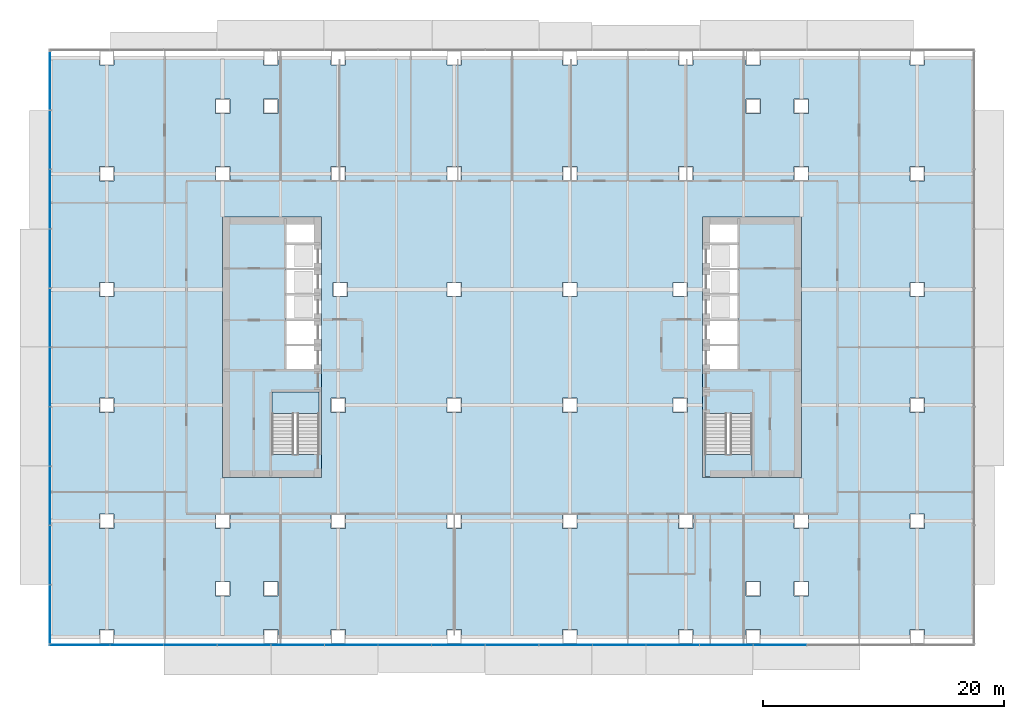
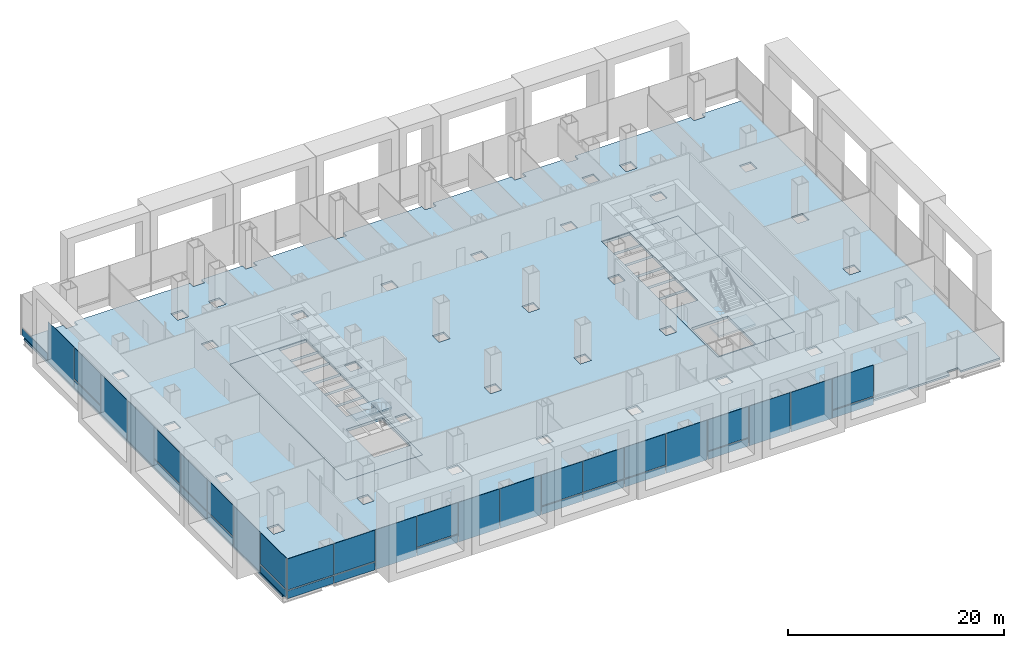
# One storey, part 12 of 23: 37 plates, 5 slabs, 4 elements without a shape of their own.
"""IFC4 building model written with IfcOpenShell, lengths in metres."""

from ifc_helpers import new_model, si_unit, direction, frame, origin, origin_2d, place, context, subcontext, project, spatial, polyline, rectangle, outline, extrude, material, layer, layer_set, type_object, element, aggregate, save


model = new_model("IFC4")

# Units and contexts
model_context = context("Model", 3, precision=1e-05, world=origin(), true_north=direction((0.0, 1.0)))
body_context = subcontext(model_context, "Body", "Model", "MODEL_VIEW")
ifc_project = project(units=[si_unit("LENGTHUNIT", "METRE"), si_unit("AREAUNIT", "SQUARE_METRE"), si_unit("VOLUMEUNIT", "CUBIC_METRE"), si_unit("PLANEANGLEUNIT", "RADIAN"), si_unit("MASSUNIT", "GRAM", prefix="KILO")], contexts=[model_context])

# Site, building, storey
site_placement = place(None, origin())
site = spatial("IfcSite", under=ifc_project, at=site_placement, CompositionType="ELEMENT")
building_placement = place(site_placement, origin())
building = spatial("IfcBuilding", under=site, at=building_placement, Name="Cobrizo Arcos Hotel Tower", CompositionType="ELEMENT")
storey_placement = place(building_placement, frame((0.0, 0.0, 15.5)))
storey = spatial("IfcBuildingStorey", under=building, at=storey_placement, Name="L02", CompositionType="ELEMENT", Elevation=15.5)

# Curtain wall, plates
ifc_material_1 = material(Name="Aluminium 6063-T6 anodised bronze", Category="aluminium")
curtain_wall_type_1 = type_object("IfcCurtainWallType", Name="CW-A guest facade", PredefinedType="NOTDEFINED", material=ifc_material_1)
curtain_wall_1_placement = place(storey_placement, origin())
curtain_wall_1 = element("IfcCurtainWall", 1, at=curtain_wall_1_placement, inside=storey, type_object=curtain_wall_type_1, Name="CW-A L02 S face", PredefinedType="NOTDEFINED")
ifc_material_2 = material(Name="Glass clear laminated low-e", Category="glass")
ifc_layer_1 = layer(ifc_material_2, 0.0400390625)
ifc_layer_set_1 = layer_set([ifc_layer_1], Name="CW-A glass panel")
plate_type_1 = type_object("IfcPlateType", Name="CW-A glass panel", PredefinedType="CURTAIN_PANEL", material=ifc_layer_set_1)
plate_1_placement = place(storey_placement, frame((-35.839111328125, -24.675048828125, 0.990234375), z_axis=(0.0, 0.0, 1.0), x_axis=(1.0, 0.0, 0.0)))
plate_1 = element("IfcPlate", 2, at=plate_1_placement, type_object=plate_type_1, Name="CW-A glass panel 144", PredefinedType="CURTAIN_PANEL", context=body_context, shape_type="SweptSolid", body=[
    extrude(rectangle(XDim=4.95166015625, YDim=0.0400390625, at=origin_2d()), origin(), (0.0, 0.0, 1.0), 3.510009765625),
])
plate_2_placement = place(storey_placement, frame((-31.111083984375, -24.675048828125, 0.990234375), z_axis=(0.0, 0.0, 1.0), x_axis=(1.0, 0.0, 0.0)))
plate_2 = element("IfcPlate", 3, at=plate_2_placement, type_object=plate_type_1, Name="CW-A glass panel 145", PredefinedType="CURTAIN_PANEL", context=body_context, shape_type="SweptSolid", body=[
    extrude(rectangle(XDim=4.384521484375, YDim=0.0400390625, at=origin_2d()), origin(), (0.0, 0.0, 1.0), 3.510009765625),
])
plate_3_placement = place(storey_placement, frame((-22.22216796875, -24.675048828125, 0.990234375), z_axis=(0.0, 0.0, 1.0), x_axis=(1.0, 0.0, 0.0)))
plate_3 = element("IfcPlate", 4, at=plate_3_placement, type_object=plate_type_1, Name="CW-A glass panel 147", PredefinedType="CURTAIN_PANEL", context=body_context, shape_type="SweptSolid", body=[
    extrude(rectangle(XDim=4.384521484375, YDim=0.0400390625, at=origin_2d()), origin(), (0.0, 0.0, 1.0), 3.510009765625),
])
plate_4_placement = place(storey_placement, frame((-8.888916015625, -24.675048828125, 0.990234375), z_axis=(0.0, 0.0, 1.0), x_axis=(1.0, 0.0, 0.0)))
plate_4 = element("IfcPlate", 5, at=plate_4_placement, type_object=plate_type_1, Name="CW-A glass panel 150", PredefinedType="CURTAIN_PANEL", context=body_context, shape_type="SweptSolid", body=[
    extrude(rectangle(XDim=4.384521484375, YDim=0.0400390625, at=origin_2d()), origin(), (0.0, 0.0, 1.0), 3.510009765625),
])
plate_5_placement = place(storey_placement, frame((-4.4443359375, -24.675048828125, 0.990234375), z_axis=(0.0, 0.0, 1.0), x_axis=(1.0, 0.0, 0.0)))
plate_5 = element("IfcPlate", 6, at=plate_5_placement, type_object=plate_type_1, Name="CW-A glass panel 151", PredefinedType="CURTAIN_PANEL", context=body_context, shape_type="SweptSolid", body=[
    extrude(rectangle(XDim=4.384521484375, YDim=0.0400390625, at=origin_2d()), origin(), (0.0, 0.0, 1.0), 3.510009765625),
])
plate_6_placement = place(storey_placement, frame((0.0, -24.675048828125, 0.990234375), z_axis=(0.0, 0.0, 1.0), x_axis=(1.0, 0.0, 0.0)))
plate_6 = element("IfcPlate", 7, at=plate_6_placement, type_object=plate_type_1, Name="CW-A glass panel 152", PredefinedType="CURTAIN_PANEL", context=body_context, shape_type="SweptSolid", body=[
    extrude(rectangle(XDim=4.384521484375, YDim=0.0400390625, at=origin_2d()), origin(), (0.0, 0.0, 1.0), 3.510009765625),
])
plate_7_placement = place(storey_placement, frame((8.888916015625, -24.675048828125, 0.990234375), z_axis=(0.0, 0.0, 1.0), x_axis=(1.0, 0.0, 0.0)))
plate_7 = element("IfcPlate", 8, at=plate_7_placement, type_object=plate_type_1, Name="CW-A glass panel 154", PredefinedType="CURTAIN_PANEL", context=body_context, shape_type="SweptSolid", body=[
    extrude(rectangle(XDim=4.384521484375, YDim=0.0400390625, at=origin_2d()), origin(), (0.0, 0.0, 1.0), 3.510009765625),
])
plate_8_placement = place(storey_placement, frame((22.22216796875, -24.675048828125, 0.990234375), z_axis=(0.0, 0.0, 1.0), x_axis=(1.0, 0.0, 0.0)))
plate_8 = element("IfcPlate", 9, at=plate_8_placement, type_object=plate_type_1, Name="CW-A glass panel 157", PredefinedType="CURTAIN_PANEL", context=body_context, shape_type="SweptSolid", body=[
    extrude(rectangle(XDim=4.384521484375, YDim=0.0400390625, at=origin_2d()), origin(), (0.0, 0.0, 1.0), 3.510009765625),
])
ifc_material_3 = material(Name="Aluminium composite panel pale metal", Category="aluminium")
ifc_layer_2 = layer(ifc_material_3, 0.0400390625)
ifc_layer_set_2 = layer_set([ifc_layer_2], Name="CW-A spandrel panel")
plate_type_2 = type_object("IfcPlateType", Name="CW-A spandrel panel", PredefinedType="CURTAIN_PANEL", material=ifc_layer_set_2)
plate_9_placement = place(storey_placement, frame((-35.839111328125, -24.675048828125, 0.0), z_axis=(0.0, 0.0, 1.0), x_axis=(1.0, 0.0, 0.0)))
plate_9 = element("IfcPlate", 10, at=plate_9_placement, type_object=plate_type_2, Name="CW-A spandrel panel 144", PredefinedType="CURTAIN_PANEL", context=body_context, shape_type="SweptSolid", body=[
    extrude(rectangle(XDim=4.95166015625, YDim=0.0400390625, at=origin_2d()), origin(), (0.0, 0.0, 1.0), 0.8701171875),
])
plate_10_placement = place(storey_placement, frame((-31.111083984375, -24.675048828125, 0.0), z_axis=(0.0, 0.0, 1.0), x_axis=(1.0, 0.0, 0.0)))
plate_10 = element("IfcPlate", 11, at=plate_10_placement, type_object=plate_type_2, Name="CW-A spandrel panel 145", PredefinedType="CURTAIN_PANEL", context=body_context, shape_type="SweptSolid", body=[
    extrude(rectangle(XDim=4.384521484375, YDim=0.0400390625, at=origin_2d()), origin(), (0.0, 0.0, 1.0), 0.8701171875),
])
plate_11_placement = place(storey_placement, frame((-26.666748046875, -24.675048828125, 0.0), z_axis=(0.0, 0.0, 1.0), x_axis=(1.0, 0.0, 0.0)))
plate_11 = element("IfcPlate", 12, at=plate_11_placement, type_object=plate_type_2, Name="CW-A spandrel panel 146", PredefinedType="CURTAIN_PANEL", context=body_context, shape_type="SweptSolid", body=[
    extrude(rectangle(XDim=4.384521484375, YDim=0.0400390625, at=origin_2d()), origin(), (0.0, 0.0, 1.0), 4.5),
])
plate_12_placement = place(storey_placement, frame((-22.22216796875, -24.675048828125, 0.0), z_axis=(0.0, 0.0, 1.0), x_axis=(1.0, 0.0, 0.0)))
plate_12 = element("IfcPlate", 13, at=plate_12_placement, type_object=plate_type_2, Name="CW-A spandrel panel 147", PredefinedType="CURTAIN_PANEL", context=body_context, shape_type="SweptSolid", body=[
    extrude(rectangle(XDim=4.384521484375, YDim=0.0400390625, at=origin_2d()), origin(), (0.0, 0.0, 1.0), 0.8701171875),
])
plate_13_placement = place(storey_placement, frame((-17.77783203125, -24.675048828125, 0.0), z_axis=(0.0, 0.0, 1.0), x_axis=(1.0, 0.0, 0.0)))
plate_13 = element("IfcPlate", 14, at=plate_13_placement, type_object=plate_type_2, Name="CW-A spandrel panel 148", PredefinedType="CURTAIN_PANEL", context=body_context, shape_type="SweptSolid", body=[
    extrude(rectangle(XDim=4.384521484375, YDim=0.0400390625, at=origin_2d()), origin(), (0.0, 0.0, 1.0), 4.5),
])
plate_14_placement = place(storey_placement, frame((-13.333251953125, -24.675048828125, 0.0), z_axis=(0.0, 0.0, 1.0), x_axis=(1.0, 0.0, 0.0)))
plate_14 = element("IfcPlate", 15, at=plate_14_placement, type_object=plate_type_2, Name="CW-A spandrel panel 149", PredefinedType="CURTAIN_PANEL", context=body_context, shape_type="SweptSolid", body=[
    extrude(rectangle(XDim=4.384521484375, YDim=0.0400390625, at=origin_2d()), origin(), (0.0, 0.0, 1.0), 4.5),
])
plate_15_placement = place(storey_placement, frame((-8.888916015625, -24.675048828125, 0.0), z_axis=(0.0, 0.0, 1.0), x_axis=(1.0, 0.0, 0.0)))
plate_15 = element("IfcPlate", 16, at=plate_15_placement, type_object=plate_type_2, Name="CW-A spandrel panel 150", PredefinedType="CURTAIN_PANEL", context=body_context, shape_type="SweptSolid", body=[
    extrude(rectangle(XDim=4.384521484375, YDim=0.0400390625, at=origin_2d()), origin(), (0.0, 0.0, 1.0), 0.8701171875),
])
plate_16_placement = place(storey_placement, frame((-4.4443359375, -24.675048828125, 0.0), z_axis=(0.0, 0.0, 1.0), x_axis=(1.0, 0.0, 0.0)))
plate_16 = element("IfcPlate", 17, at=plate_16_placement, type_object=plate_type_2, Name="CW-A spandrel panel 151", PredefinedType="CURTAIN_PANEL", context=body_context, shape_type="SweptSolid", body=[
    extrude(rectangle(XDim=4.384521484375, YDim=0.0400390625, at=origin_2d()), origin(), (0.0, 0.0, 1.0), 0.8701171875),
])
plate_17_placement = place(storey_placement, frame((0.0, -24.675048828125, 0.0), z_axis=(0.0, 0.0, 1.0), x_axis=(1.0, 0.0, 0.0)))
plate_17 = element("IfcPlate", 18, at=plate_17_placement, type_object=plate_type_2, Name="CW-A spandrel panel 152", PredefinedType="CURTAIN_PANEL", context=body_context, shape_type="SweptSolid", body=[
    extrude(rectangle(XDim=4.384521484375, YDim=0.0400390625, at=origin_2d()), origin(), (0.0, 0.0, 1.0), 0.8701171875),
])
plate_18_placement = place(storey_placement, frame((4.4443359375, -24.675048828125, 0.0), z_axis=(0.0, 0.0, 1.0), x_axis=(1.0, 0.0, 0.0)))
plate_18 = element("IfcPlate", 19, at=plate_18_placement, type_object=plate_type_2, Name="CW-A spandrel panel 153", PredefinedType="CURTAIN_PANEL", context=body_context, shape_type="SweptSolid", body=[
    extrude(rectangle(XDim=4.384521484375, YDim=0.0400390625, at=origin_2d()), origin(), (0.0, 0.0, 1.0), 4.5),
])
plate_19_placement = place(storey_placement, frame((8.888916015625, -24.675048828125, 0.0), z_axis=(0.0, 0.0, 1.0), x_axis=(1.0, 0.0, 0.0)))
plate_19 = element("IfcPlate", 20, at=plate_19_placement, type_object=plate_type_2, Name="CW-A spandrel panel 154", PredefinedType="CURTAIN_PANEL", context=body_context, shape_type="SweptSolid", body=[
    extrude(rectangle(XDim=4.384521484375, YDim=0.0400390625, at=origin_2d()), origin(), (0.0, 0.0, 1.0), 0.8701171875),
])
plate_20_placement = place(storey_placement, frame((13.333251953125, -24.675048828125, 0.0), z_axis=(0.0, 0.0, 1.0), x_axis=(1.0, 0.0, 0.0)))
plate_20 = element("IfcPlate", 21, at=plate_20_placement, type_object=plate_type_2, Name="CW-A spandrel panel 155", PredefinedType="CURTAIN_PANEL", context=body_context, shape_type="SweptSolid", body=[
    extrude(rectangle(XDim=4.384521484375, YDim=0.0400390625, at=origin_2d()), origin(), (0.0, 0.0, 1.0), 4.5),
])
plate_21_placement = place(storey_placement, frame((17.77783203125, -24.675048828125, 0.0), z_axis=(0.0, 0.0, 1.0), x_axis=(1.0, 0.0, 0.0)))
plate_21 = element("IfcPlate", 22, at=plate_21_placement, type_object=plate_type_2, Name="CW-A spandrel panel 156", PredefinedType="CURTAIN_PANEL", context=body_context, shape_type="SweptSolid", body=[
    extrude(rectangle(XDim=4.384521484375, YDim=0.0400390625, at=origin_2d()), origin(), (0.0, 0.0, 1.0), 4.5),
])
plate_22_placement = place(storey_placement, frame((22.22216796875, -24.675048828125, 0.0), z_axis=(0.0, 0.0, 1.0), x_axis=(1.0, 0.0, 0.0)))
plate_22 = element("IfcPlate", 23, at=plate_22_placement, type_object=plate_type_2, Name="CW-A spandrel panel 157", PredefinedType="CURTAIN_PANEL", context=body_context, shape_type="SweptSolid", body=[
    extrude(rectangle(XDim=4.384521484375, YDim=0.0400390625, at=origin_2d()), origin(), (0.0, 0.0, 1.0), 0.8701171875),
])
aggregate(curtain_wall_1, [plate_9, plate_1, plate_10, plate_2, plate_11, plate_12, plate_3, plate_13, plate_14, plate_15, plate_4, plate_16, plate_5, plate_17, plate_6, plate_18, plate_19, plate_7, plate_20, plate_21, plate_22, plate_8])

curtain_wall_type_2 = type_object("IfcCurtainWallType", Name="CW-B podium glazing", PredefinedType="NOTDEFINED", material=ifc_material_1)
curtain_wall_2_placement = place(storey_placement, origin())
curtain_wall_2 = element("IfcCurtainWall", 24, at=curtain_wall_2_placement, inside=storey, type_object=curtain_wall_type_2, Name="CW-B L02 W face", PredefinedType="NOTDEFINED")
ifc_layer_3 = layer(ifc_material_2, 0.0400390625)
ifc_layer_set_3 = layer_set([ifc_layer_3], Name="CW-B glass panel")
plate_type_3 = type_object("IfcPlateType", Name="CW-B glass panel", PredefinedType="CURTAIN_PANEL", material=ifc_layer_set_3)
plate_23_placement = place(storey_placement, frame((-38.300048828125, 12.300048828125, 0.97998046875), z_axis=(0.0, 0.0, 1.0), x_axis=(0.0, -1.0, 0.0)))
plate_23 = element("IfcPlate", 25, at=plate_23_placement, type_object=plate_type_3, Name="CW-B glass panel 136", PredefinedType="CURTAIN_PANEL", context=body_context, shape_type="SweptSolid", body=[
    extrude(rectangle(XDim=4.840087890625, YDim=0.0400390625, at=origin_2d()), origin(), (0.0, 0.0, 1.0), 3.52001953125),
])
plate_24_placement = place(storey_placement, frame((-38.300048828125, -2.4599609375, 0.97998046875), z_axis=(0.0, 0.0, 1.0), x_axis=(0.0, -1.0, 0.0)))
plate_24 = element("IfcPlate", 26, at=plate_24_placement, type_object=plate_type_3, Name="CW-B glass panel 139", PredefinedType="CURTAIN_PANEL", context=body_context, shape_type="SweptSolid", body=[
    extrude(rectangle(XDim=4.840087890625, YDim=0.0400390625, at=origin_2d()), origin(), (0.0, 0.0, 1.0), 3.52001953125),
])
plate_25_placement = place(storey_placement, frame((-38.300048828125, -7.3798828125, 0.97998046875), z_axis=(0.0, 0.0, 1.0), x_axis=(0.0, -1.0, 0.0)))
plate_25 = element("IfcPlate", 27, at=plate_25_placement, type_object=plate_type_3, Name="CW-B glass panel 140", PredefinedType="CURTAIN_PANEL", context=body_context, shape_type="SweptSolid", body=[
    extrude(rectangle(XDim=4.840087890625, YDim=0.0400390625, at=origin_2d()), origin(), (0.0, 0.0, 1.0), 3.52001953125),
])
plate_26_placement = place(storey_placement, frame((-38.300048828125, -12.300048828125, 0.97998046875), z_axis=(0.0, 0.0, 1.0), x_axis=(0.0, -1.0, 0.0)))
plate_26 = element("IfcPlate", 28, at=plate_26_placement, type_object=plate_type_3, Name="CW-B glass panel 141", PredefinedType="CURTAIN_PANEL", context=body_context, shape_type="SweptSolid", body=[
    extrude(rectangle(XDim=4.840087890625, YDim=0.0400390625, at=origin_2d()), origin(), (0.0, 0.0, 1.0), 3.52001953125),
])
plate_27_placement = place(storey_placement, frame((-38.300048828125, -22.1201171875, 0.97998046875), z_axis=(0.0, 0.0, 1.0), x_axis=(0.0, -1.0, 0.0)))
plate_27 = element("IfcPlate", 29, at=plate_27_placement, type_object=plate_type_3, Name="CW-B glass panel 143", PredefinedType="CURTAIN_PANEL", context=body_context, shape_type="SweptSolid", body=[
    extrude(rectangle(XDim=4.800048828125, YDim=0.0400390625, at=origin_2d()), origin(), (0.0, 0.0, 1.0), 3.52001953125),
])
ifc_layer_4 = layer(ifc_material_3, 0.06005859375)
ifc_layer_set_4 = layer_set([ifc_layer_4], Name="CW-B spandrel panel")
plate_type_4 = type_object("IfcPlateType", Name="CW-B spandrel panel", PredefinedType="CURTAIN_PANEL", material=ifc_layer_set_4)
plate_28_placement = place(storey_placement, frame((-38.300048828125, 22.1201171875, 0.0), z_axis=(0.0, 0.0, 1.0), x_axis=(0.0, -1.0, 0.0)))
plate_28 = element("IfcPlate", 30, at=plate_28_placement, type_object=plate_type_4, Name="CW-B spandrel panel 134", PredefinedType="CURTAIN_PANEL", context=body_context, shape_type="SweptSolid", body=[
    extrude(rectangle(XDim=4.800048828125, YDim=0.0400390625, at=origin_2d()), origin(), (0.0, 0.0, 1.0), 0.820068359375),
])
plate_29_placement = place(storey_placement, frame((-38.300048828125, 17.219970703125, 0.0), z_axis=(0.0, 0.0, 1.0), x_axis=(0.0, -1.0, 0.0)))
plate_29 = element("IfcPlate", 31, at=plate_29_placement, type_object=plate_type_4, Name="CW-B spandrel panel 135", PredefinedType="CURTAIN_PANEL", context=body_context, shape_type="SweptSolid", body=[
    extrude(rectangle(XDim=4.840087890625, YDim=0.0400390625, at=origin_2d()), origin(), (0.0, 0.0, 1.0), 4.5),
])
plate_30_placement = place(storey_placement, frame((-38.300048828125, 12.300048828125, 0.0), z_axis=(0.0, 0.0, 1.0), x_axis=(0.0, -1.0, 0.0)))
plate_30 = element("IfcPlate", 32, at=plate_30_placement, type_object=plate_type_4, Name="CW-B spandrel panel 136", PredefinedType="CURTAIN_PANEL", context=body_context, shape_type="SweptSolid", body=[
    extrude(rectangle(XDim=4.840087890625, YDim=0.0400390625, at=origin_2d()), origin(), (0.0, 0.0, 1.0), 0.820068359375),
])
plate_31_placement = place(storey_placement, frame((-38.300048828125, 7.3798828125, 0.0), z_axis=(0.0, 0.0, 1.0), x_axis=(0.0, -1.0, 0.0)))
plate_31 = element("IfcPlate", 33, at=plate_31_placement, type_object=plate_type_4, Name="CW-B spandrel panel 137", PredefinedType="CURTAIN_PANEL", context=body_context, shape_type="SweptSolid", body=[
    extrude(rectangle(XDim=4.840087890625, YDim=0.0400390625, at=origin_2d()), origin(), (0.0, 0.0, 1.0), 4.5),
])
plate_32_placement = place(storey_placement, frame((-38.300048828125, 2.4599609375, 0.0), z_axis=(0.0, 0.0, 1.0), x_axis=(0.0, -1.0, 0.0)))
plate_32 = element("IfcPlate", 34, at=plate_32_placement, type_object=plate_type_4, Name="CW-B spandrel panel 138", PredefinedType="CURTAIN_PANEL", context=body_context, shape_type="SweptSolid", body=[
    extrude(rectangle(XDim=4.840087890625, YDim=0.0400390625, at=origin_2d()), origin(), (0.0, 0.0, 1.0), 4.5),
])
plate_33_placement = place(storey_placement, frame((-38.300048828125, -2.4599609375, 0.0), z_axis=(0.0, 0.0, 1.0), x_axis=(0.0, -1.0, 0.0)))
plate_33 = element("IfcPlate", 35, at=plate_33_placement, type_object=plate_type_4, Name="CW-B spandrel panel 139", PredefinedType="CURTAIN_PANEL", context=body_context, shape_type="SweptSolid", body=[
    extrude(rectangle(XDim=4.840087890625, YDim=0.0400390625, at=origin_2d()), origin(), (0.0, 0.0, 1.0), 0.820068359375),
])
plate_34_placement = place(storey_placement, frame((-38.300048828125, -7.3798828125, 0.0), z_axis=(0.0, 0.0, 1.0), x_axis=(0.0, -1.0, 0.0)))
plate_34 = element("IfcPlate", 36, at=plate_34_placement, type_object=plate_type_4, Name="CW-B spandrel panel 140", PredefinedType="CURTAIN_PANEL", context=body_context, shape_type="SweptSolid", body=[
    extrude(rectangle(XDim=4.840087890625, YDim=0.0400390625, at=origin_2d()), origin(), (0.0, 0.0, 1.0), 0.820068359375),
])
plate_35_placement = place(storey_placement, frame((-38.300048828125, -12.300048828125, 0.0), z_axis=(0.0, 0.0, 1.0), x_axis=(0.0, -1.0, 0.0)))
plate_35 = element("IfcPlate", 37, at=plate_35_placement, type_object=plate_type_4, Name="CW-B spandrel panel 141", PredefinedType="CURTAIN_PANEL", context=body_context, shape_type="SweptSolid", body=[
    extrude(rectangle(XDim=4.840087890625, YDim=0.0400390625, at=origin_2d()), origin(), (0.0, 0.0, 1.0), 0.820068359375),
])
plate_36_placement = place(storey_placement, frame((-38.300048828125, -17.219970703125, 0.0), z_axis=(0.0, 0.0, 1.0), x_axis=(0.0, -1.0, 0.0)))
plate_36 = element("IfcPlate", 38, at=plate_36_placement, type_object=plate_type_4, Name="CW-B spandrel panel 142", PredefinedType="CURTAIN_PANEL", context=body_context, shape_type="SweptSolid", body=[
    extrude(rectangle(XDim=4.840087890625, YDim=0.0400390625, at=origin_2d()), origin(), (0.0, 0.0, 1.0), 4.5),
])
plate_37_placement = place(storey_placement, frame((-38.300048828125, -22.1201171875, 0.0), z_axis=(0.0, 0.0, 1.0), x_axis=(0.0, -1.0, 0.0)))
plate_37 = element("IfcPlate", 39, at=plate_37_placement, type_object=plate_type_4, Name="CW-B spandrel panel 143", PredefinedType="CURTAIN_PANEL", context=body_context, shape_type="SweptSolid", body=[
    extrude(rectangle(XDim=4.800048828125, YDim=0.0400390625, at=origin_2d()), origin(), (0.0, 0.0, 1.0), 0.820068359375),
])
aggregate(curtain_wall_2, [plate_28, plate_29, plate_30, plate_23, plate_31, plate_32, plate_33, plate_24, plate_34, plate_25, plate_35, plate_26, plate_36, plate_37, plate_27])

# Slabs
ifc_material_4 = material(Name="Concrete f'c 35 MPa", Category="concrete")
ifc_layer_5 = layer(ifc_material_4, 0.199951171875)
ifc_layer_set_5 = layer_set([ifc_layer_5], Name="Composite floor slab 200 f'c 35")
slab_type_1 = type_object("IfcSlabType", Name="Composite floor slab 200 f'c 35", PredefinedType="FLOOR", material=ifc_layer_set_5)
slab_1_placement = place(storey_placement, frame((0.0, 0.0, -0.199951171875)))
element("IfcSlab", 40, at=slab_1_placement, inside=storey, type_object=slab_type_1, Name="Floor slab S4, L02, no. 01", PredefinedType="FLOOR", context=body_context, shape_type="SweptSolid", body=[
    extrude(outline(polyline([(38.39990234375, 24.0), (38.39990234375, -24.0), (34.199951171875, -24.0), (34.199951171875, -23.39990234375), (33.0, -23.39990234375), (33.0, -24.0), (20.60009765625, -24.0), (20.60009765625, -23.39990234375), (19.39990234375, -23.39990234375), (19.39990234375, -24.0), (15.0, -24.0), (15.0, -23.39990234375), (13.800048828125, -23.39990234375), (13.800048828125, -24.0), (5.39990234375, -24.0), (5.39990234375, -23.39990234375), (4.199951171875, -23.39990234375), (4.199951171875, -24.0), (-4.199951171875, -24.0), (-4.199951171875, -23.39990234375), (-5.39990234375, -23.39990234375), (-5.39990234375, -24.0), (-13.800048828125, -24.0), (-13.800048828125, -23.39990234375), (-15.0, -23.39990234375), (-15.0, -24.0), (-19.39990234375, -24.0), (-19.39990234375, -23.39990234375), (-20.60009765625, -23.39990234375), (-20.60009765625, -24.0), (-33.0, -24.0), (-33.0, -23.39990234375), (-34.199951171875, -23.39990234375), (-34.199951171875, -24.0), (-38.39990234375, -24.0), (-38.39990234375, 24.0), (-34.199951171875, 24.0), (-34.199951171875, 23.39990234375), (-33.0, 23.39990234375), (-33.0, 24.0), (-20.60009765625, 24.0), (-20.60009765625, 23.39990234375), (-19.39990234375, 23.39990234375), (-19.39990234375, 24.0), (-15.0, 24.0), (-15.0, 23.39990234375), (-13.800048828125, 23.39990234375), (-13.800048828125, 24.0), (-5.39990234375, 24.0), (-5.39990234375, 23.39990234375), (-4.199951171875, 23.39990234375), (-4.199951171875, 24.0), (4.199951171875, 24.0), (4.199951171875, 23.39990234375), (5.39990234375, 23.39990234375), (5.39990234375, 24.0), (13.800048828125, 24.0), (13.800048828125, 23.39990234375), (15.0, 23.39990234375), (15.0, 24.0), (19.39990234375, 24.0), (19.39990234375, 23.39990234375), (20.60009765625, 23.39990234375), (20.60009765625, 24.0), (33.0, 24.0), (33.0, 23.39990234375), (34.199951171875, 23.39990234375), (34.199951171875, 24.0), (38.39990234375, 24.0)]), holes=[polyline([(-20.60009765625, -20.60009765625), (-19.39990234375, -20.60009765625), (-19.39990234375, -19.39990234375), (-20.60009765625, -19.39990234375), (-20.60009765625, -20.60009765625)]), polyline([(-23.39990234375, -20.60009765625), (-23.39990234375, -19.39990234375), (-24.60009765625, -19.39990234375), (-24.60009765625, -20.60009765625), (-23.39990234375, -20.60009765625)]), polyline([(-34.199951171875, -15.0), (-33.0, -15.0), (-33.0, -13.800048828125), (-34.199951171875, -13.800048828125), (-34.199951171875, -15.0)]), polyline([(-15.0, -15.0), (-13.800048828125, -15.0), (-13.800048828125, -13.800048828125), (-15.0, -13.800048828125), (-15.0, -15.0)]), polyline([(-23.39990234375, -15.0), (-23.39990234375, -13.800048828125), (-24.60009765625, -13.800048828125), (-24.60009765625, -15.0), (-23.39990234375, -15.0)]), polyline([(-15.0, -5.39990234375), (-13.800048828125, -5.39990234375), (-13.800048828125, -4.199951171875), (-15.0, -4.199951171875), (-15.0, -5.39990234375)]), polyline([(-34.199951171875, -5.39990234375), (-33.0, -5.39990234375), (-33.0, -4.199951171875), (-34.199951171875, -4.199951171875), (-34.199951171875, -5.39990234375)]), polyline([(-24.0, -10.800048828125), (-15.800048828125, -10.800048828125), (-15.800048828125, 10.800048828125), (-24.0, 10.800048828125), (-24.0, -10.800048828125)]), polyline([(-34.199951171875, 4.199951171875), (-33.0, 4.199951171875), (-33.0, 5.39990234375), (-34.199951171875, 5.39990234375), (-34.199951171875, 4.199951171875)]), polyline([(-24.60009765625, 13.800048828125), (-23.39990234375, 13.800048828125), (-23.39990234375, 15.0), (-24.60009765625, 15.0), (-24.60009765625, 13.800048828125)]), polyline([(-34.199951171875, 13.800048828125), (-33.0, 13.800048828125), (-33.0, 15.0), (-34.199951171875, 15.0), (-34.199951171875, 13.800048828125)]), polyline([(-13.800048828125, 13.800048828125), (-13.800048828125, 15.0), (-15.0, 15.0), (-15.0, 13.800048828125), (-13.800048828125, 13.800048828125)]), polyline([(-24.60009765625, 19.39990234375), (-23.39990234375, 19.39990234375), (-23.39990234375, 20.60009765625), (-24.60009765625, 20.60009765625), (-24.60009765625, 19.39990234375)]), polyline([(-20.60009765625, 19.39990234375), (-19.39990234375, 19.39990234375), (-19.39990234375, 20.60009765625), (-20.60009765625, 20.60009765625), (-20.60009765625, 19.39990234375)]), polyline([(13.800048828125, -15.0), (15.0, -15.0), (15.0, -13.800048828125), (13.800048828125, -13.800048828125), (13.800048828125, -15.0)]), polyline([(4.199951171875, -15.0), (5.39990234375, -15.0), (5.39990234375, -13.800048828125), (4.199951171875, -13.800048828125), (4.199951171875, -15.0)]), polyline([(-5.39990234375, -15.0), (-4.199951171875, -15.0), (-4.199951171875, -13.800048828125), (-5.39990234375, -13.800048828125), (-5.39990234375, -15.0)]), polyline([(-5.39990234375, -5.39990234375), (-4.199951171875, -5.39990234375), (-4.199951171875, -4.199951171875), (-5.39990234375, -4.199951171875), (-5.39990234375, -5.39990234375)]), polyline([(4.199951171875, -5.39990234375), (5.39990234375, -5.39990234375), (5.39990234375, -4.199951171875), (4.199951171875, -4.199951171875), (4.199951171875, -5.39990234375)]), polyline([(13.340087890625, -5.39990234375), (14.5400390625, -5.39990234375), (14.5400390625, -4.199951171875), (13.340087890625, -4.199951171875), (13.340087890625, -5.39990234375)]), polyline([(-4.199951171875, 4.199951171875), (-4.199951171875, 5.39990234375), (-5.39990234375, 5.39990234375), (-5.39990234375, 4.199951171875), (-4.199951171875, 4.199951171875)]), polyline([(4.199951171875, 4.199951171875), (5.39990234375, 4.199951171875), (5.39990234375, 5.39990234375), (4.199951171875, 5.39990234375), (4.199951171875, 4.199951171875)]), polyline([(-14.85009765625, 4.199951171875), (-13.64990234375, 4.199951171875), (-13.64990234375, 5.39990234375), (-14.85009765625, 5.39990234375), (-14.85009765625, 4.199951171875)]), polyline([(14.5400390625, 4.199951171875), (14.5400390625, 5.39990234375), (13.340087890625, 5.39990234375), (13.340087890625, 4.199951171875), (14.5400390625, 4.199951171875)]), polyline([(-5.39990234375, 13.800048828125), (-4.199951171875, 13.800048828125), (-4.199951171875, 15.0), (-5.39990234375, 15.0), (-5.39990234375, 13.800048828125)]), polyline([(4.199951171875, 13.800048828125), (5.39990234375, 13.800048828125), (5.39990234375, 15.0), (4.199951171875, 15.0), (4.199951171875, 13.800048828125)]), polyline([(23.39990234375, -20.60009765625), (24.60009765625, -20.60009765625), (24.60009765625, -19.39990234375), (23.39990234375, -19.39990234375), (23.39990234375, -20.60009765625)]), polyline([(20.60009765625, -20.60009765625), (20.60009765625, -19.39990234375), (19.39990234375, -19.39990234375), (19.39990234375, -20.60009765625), (20.60009765625, -20.60009765625)]), polyline([(23.39990234375, -15.0), (24.60009765625, -15.0), (24.60009765625, -13.800048828125), (23.39990234375, -13.800048828125), (23.39990234375, -15.0)]), polyline([(33.0, -15.0), (34.199951171875, -15.0), (34.199951171875, -13.800048828125), (33.0, -13.800048828125), (33.0, -15.0)]), polyline([(33.0, -5.39990234375), (34.199951171875, -5.39990234375), (34.199951171875, -4.199951171875), (33.0, -4.199951171875), (33.0, -5.39990234375)]), polyline([(15.800048828125, -10.800048828125), (24.0, -10.800048828125), (24.0, 10.800048828125), (15.800048828125, 10.800048828125), (15.800048828125, -10.800048828125)]), polyline([(33.0, 4.199951171875), (34.199951171875, 4.199951171875), (34.199951171875, 5.39990234375), (33.0, 5.39990234375), (33.0, 4.199951171875)]), polyline([(13.800048828125, 13.800048828125), (15.0, 13.800048828125), (15.0, 15.0), (13.800048828125, 15.0), (13.800048828125, 13.800048828125)]), polyline([(24.60009765625, 13.800048828125), (24.60009765625, 15.0), (23.39990234375, 15.0), (23.39990234375, 13.800048828125), (24.60009765625, 13.800048828125)]), polyline([(33.0, 13.800048828125), (34.199951171875, 13.800048828125), (34.199951171875, 15.0), (33.0, 15.0), (33.0, 13.800048828125)]), polyline([(19.39990234375, 19.39990234375), (20.60009765625, 19.39990234375), (20.60009765625, 20.60009765625), (19.39990234375, 20.60009765625), (19.39990234375, 19.39990234375)]), polyline([(23.39990234375, 19.39990234375), (24.60009765625, 19.39990234375), (24.60009765625, 20.60009765625), (23.39990234375, 20.60009765625), (23.39990234375, 19.39990234375)])]), origin(), (0.0, 0.0, 1.0), 0.199951171875),
])
ifc_material_5 = material(Name="Concrete f'c 60 MPa", Category="concrete")
ifc_layer_6 = layer(ifc_material_5, 0.300048828125)
ifc_layer_set_6 = layer_set([ifc_layer_6], Name="RC core floor slab 300 f'c 60")
slab_type_2 = type_object("IfcSlabType", Name="RC core floor slab 300 f'c 60", PredefinedType="FLOOR", material=ifc_layer_set_6)
slab_2_placement = place(storey_placement, frame((0.0, 0.0, -0.300048828125)))
element("IfcSlab", 41, at=slab_2_placement, inside=storey, type_object=slab_type_2, Name="Core floor slab CS2, east core, L02", PredefinedType="FLOOR", context=body_context, shape_type="SweptSolid", body=[
    extrude(outline(polyline([(15.800048828125, 10.800048828125), (24.0, 10.800048828125), (24.0, -10.800048828125), (15.800048828125, -10.800048828125), (15.800048828125, 10.800048828125)]), holes=[polyline([(19.89794921875, -10.697998046875), (19.89794921875, -5.501953125), (16.001953125, -5.501953125), (16.001953125, -10.697998046875), (19.89794921875, -10.697998046875)]), polyline([(15.802001953125, 0.197998046875), (15.802001953125, -1.89794921875), (18.798095703125, -1.89794921875), (18.798095703125, 0.197998046875), (15.802001953125, 0.197998046875)]), polyline([(18.798095703125, 2.298095703125), (15.802001953125, 2.298095703125), (15.802001953125, 0.201904296875), (18.798095703125, 0.201904296875), (18.798095703125, 2.298095703125)]), polyline([(18.798095703125, 4.39794921875), (15.802001953125, 4.39794921875), (15.802001953125, 2.302001953125), (18.798095703125, 2.302001953125), (18.798095703125, 4.39794921875)]), polyline([(15.802001953125, 6.498046875), (15.802001953125, 4.402099609375), (18.798095703125, 4.402099609375), (18.798095703125, 6.498046875), (15.802001953125, 6.498046875)]), polyline([(18.798095703125, 8.597900390625), (15.802001953125, 8.597900390625), (15.802001953125, 6.501953125), (18.798095703125, 6.501953125), (18.798095703125, 8.597900390625)]), polyline([(18.798095703125, 10.697998046875), (15.802001953125, 10.697998046875), (15.802001953125, 8.60205078125), (18.798095703125, 8.60205078125), (18.798095703125, 10.697998046875)])]), origin(), (0.0, 0.0, 1.0), 0.300048828125),
])
slab_3_placement = place(storey_placement, frame((0.0, 0.0, -0.300048828125)))
element("IfcSlab", 42, at=slab_3_placement, inside=storey, type_object=slab_type_2, Name="Core floor slab CS2, west core, L02", PredefinedType="FLOOR", context=body_context, shape_type="SweptSolid", body=[
    extrude(outline(polyline([(-24.0, 10.800048828125), (-15.800048828125, 10.800048828125), (-15.800048828125, -10.800048828125), (-24.0, -10.800048828125), (-24.0, 10.800048828125)]), holes=[polyline([(-19.89794921875, -3.701904296875), (-19.89794921875, -8.89794921875), (-16.001953125, -8.89794921875), (-16.001953125, -3.701904296875), (-19.89794921875, -3.701904296875)]), polyline([(-18.798095703125, 0.197998046875), (-18.798095703125, -1.89794921875), (-15.802001953125, -1.89794921875), (-15.802001953125, 0.197998046875), (-18.798095703125, 0.197998046875)]), polyline([(-15.802001953125, 2.298095703125), (-18.798095703125, 2.298095703125), (-18.798095703125, 0.201904296875), (-15.802001953125, 0.201904296875), (-15.802001953125, 2.298095703125)]), polyline([(-15.802001953125, 4.39794921875), (-18.798095703125, 4.39794921875), (-18.798095703125, 2.302001953125), (-15.802001953125, 2.302001953125), (-15.802001953125, 4.39794921875)]), polyline([(-18.798095703125, 6.498046875), (-18.798095703125, 4.402099609375), (-15.802001953125, 4.402099609375), (-15.802001953125, 6.498046875), (-18.798095703125, 6.498046875)]), polyline([(-15.802001953125, 8.597900390625), (-18.798095703125, 8.597900390625), (-18.798095703125, 6.501953125), (-15.802001953125, 6.501953125), (-15.802001953125, 8.597900390625)]), polyline([(-15.802001953125, 10.697998046875), (-18.798095703125, 10.697998046875), (-18.798095703125, 8.60205078125), (-15.802001953125, 8.60205078125), (-15.802001953125, 10.697998046875)])]), origin(), (0.0, 0.0, 1.0), 0.300048828125),
])

# Stair, slab
ifc_material_6 = material(Name="Concrete f'c 40 MPa", Category="concrete")
stair_type = type_object("IfcStairType", Name="Exit stair", PredefinedType="HALF_TURN_STAIR", material=ifc_material_6)
stair_1_placement = place(storey_placement, origin())
stair_1 = element("IfcStair", 43, at=stair_1_placement, inside=storey, type_object=stair_type, Name="L02 Exit stair ST-W", PredefinedType="HALF_TURN_STAIR")
ifc_layer_7 = layer(ifc_material_6, 0.199951171875)
ifc_layer_set_7 = layer_set([ifc_layer_7], Name="Stair landing")
slab_type_3 = type_object("IfcSlabType", Name="Stair landing", PredefinedType="LANDING", material=ifc_layer_set_7)
slab_4_placement = place(storey_placement, frame((0.0, 0.0, 2.050048828125)))
slab_4 = element("IfcSlab", 44, at=slab_4_placement, type_object=slab_type_3, Name="ST-W landing 1", PredefinedType="LANDING", context=body_context, shape_type="SweptSolid", body=[
    extrude(outline(polyline([(-16.0, -5.5), (-16.0, -3.699951171875), (-19.89990234375, -3.699951171875), (-19.89990234375, -5.5), (-16.0, -5.5)])), origin(), (0.0, 0.0, 1.0), 0.199951171875),
])
aggregate(stair_1, [slab_4])

stair_2_placement = place(storey_placement, origin())
stair_2 = element("IfcStair", 45, at=stair_2_placement, inside=storey, type_object=stair_type, Name="L02 Exit stair ST-E", PredefinedType="HALF_TURN_STAIR")
slab_5_placement = place(storey_placement, frame((0.0, 0.0, 2.050048828125)))
slab_5 = element("IfcSlab", 46, at=slab_5_placement, type_object=slab_type_3, Name="ST-E landing 1", PredefinedType="LANDING", context=body_context, shape_type="SweptSolid", body=[
    extrude(outline(polyline([(16.0, -8.89990234375), (16.0, -10.699951171875), (19.89990234375, -10.699951171875), (19.89990234375, -8.89990234375), (16.0, -8.89990234375)])), origin(), (0.0, 0.0, 1.0), 0.199951171875),
])
aggregate(stair_2, [slab_5])

save(model, "model.ifc")
